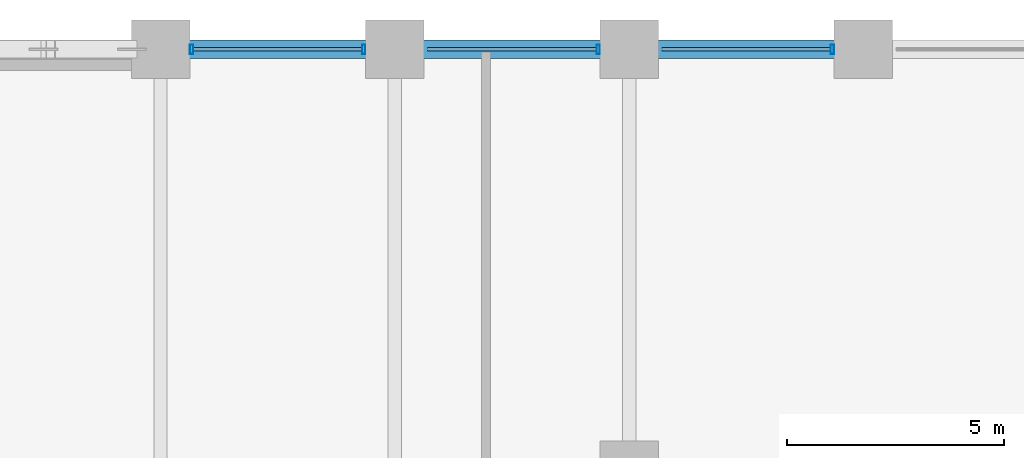
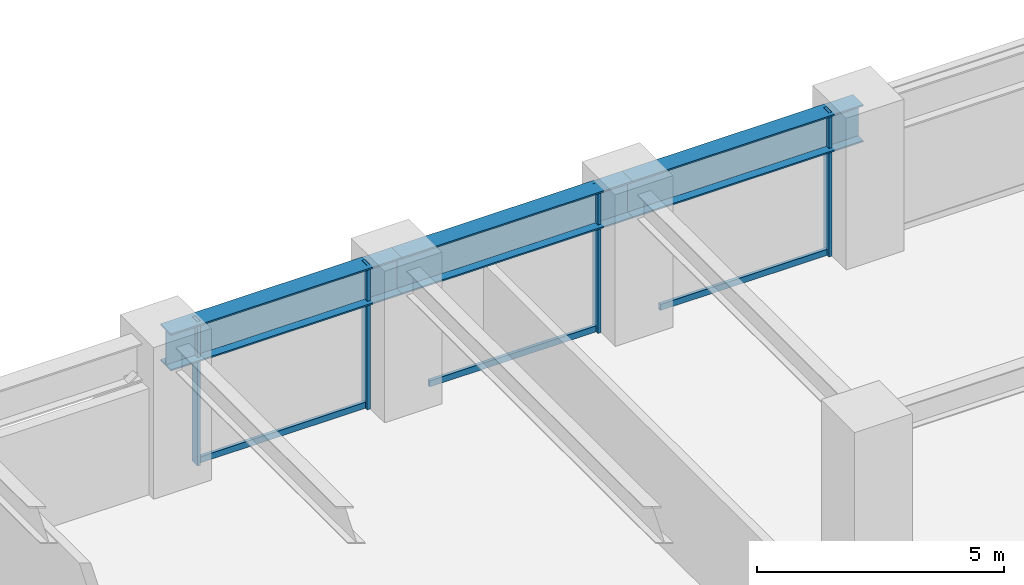
# One storey, part 15 of 27: 7 members, 3 beams, 1 element without a shape of its own.
"""IFC4 building model written with IfcOpenShell, lengths in metres."""

from ifc_helpers import new_model, si_unit, direction, frame, origin, origin_2d, place, context, subcontext, project, spatial, hollow_rectangle, i_section, extrude, material, layer, layer_set, material_profile, profile_set, type_object, element, aggregate, save


model = new_model("IFC4")

# Units and contexts
model_context = context("Model", 3, precision=1e-05, world=origin(), true_north=direction((0.0, 1.0)))
body_context = subcontext(model_context, "Body", "Model", "MODEL_VIEW")
ifc_project = project(units=[si_unit("LENGTHUNIT", "METRE"), si_unit("AREAUNIT", "SQUARE_METRE"), si_unit("VOLUMEUNIT", "CUBIC_METRE"), si_unit("PLANEANGLEUNIT", "RADIAN"), si_unit("MASSUNIT", "GRAM", prefix="KILO")], contexts=[model_context])

# Site, building, storey
site_placement = place(None, origin())
site = spatial("IfcSite", under=ifc_project, at=site_placement, CompositionType="ELEMENT")
building_placement = place(site_placement, origin())
building = spatial("IfcBuilding", under=site, at=building_placement, Name="Surkhivell Harbour Commons", CompositionType="ELEMENT")
storey_placement = place(building_placement, frame((0.0, 0.0, 22.5)))
storey = spatial("IfcBuildingStorey", under=building, at=storey_placement, Name="L05", CompositionType="ELEMENT", Elevation=22.5)

# Beams
ifc_material_1 = material(Name="Steel S460", Category="steel")
ifc_material_profile_1 = material_profile(ifc_material_1, i_section(OverallWidth=0.419921875, OverallDepth=0.9208984375, WebThickness=0.021484375, FlangeThickness=0.03662109375, at=origin_2d()), Name="UB914x419x388")
ifc_profile_set_1 = profile_set([ifc_material_profile_1], Name="Steel S460")
beam_type = type_object("IfcBeamType", Name="BM-SPN-914A", PredefinedType="SPANDREL", material=ifc_profile_set_1)
beam_1_placement = place(storey_placement, frame((5.39990234375, 25.89990234375, 3.109619140625), z_axis=(1.0, 0.0, 0.0), x_axis=(0.0, 1.0, 0.0)))
element("IfcBeam", 1, at=beam_1_placement, inside=storey, type_object=beam_type, Name="L05 Tube Spandrel (5.4,25.9)", PredefinedType="SPANDREL", context=body_context, shape_type="SweptSolid", body=[
    extrude(i_section(OverallWidth=0.419921875, OverallDepth=0.9208984375, WebThickness=0.021484375, FlangeThickness=0.03662109375, at=origin_2d()), origin(), (0.0, 0.0, 1.0), 5.400146484375),
])
beam_2_placement = place(storey_placement, frame((10.800048828125, 25.89990234375, 3.109619140625), z_axis=(1.0, 0.0, 0.0), x_axis=(0.0, 1.0, 0.0)))
element("IfcBeam", 2, at=beam_2_placement, inside=storey, type_object=beam_type, Name="L05 Tube Spandrel (10.8,25.9)", PredefinedType="SPANDREL", context=body_context, shape_type="SweptSolid", body=[
    extrude(i_section(OverallWidth=0.419921875, OverallDepth=0.9208984375, WebThickness=0.021484375, FlangeThickness=0.03662109375, at=origin_2d()), origin(), (0.0, 0.0, 1.0), 5.39990234375),
])
beam_3_placement = place(storey_placement, frame((16.199951171875, 25.89990234375, 3.109619140625), z_axis=(1.0, 0.0, 0.0), x_axis=(0.0, 1.0, 0.0)))
element("IfcBeam", 3, at=beam_3_placement, inside=storey, type_object=beam_type, Name="L05 Tube Spandrel (16.2,25.9)", PredefinedType="SPANDREL", context=body_context, shape_type="SweptSolid", body=[
    extrude(i_section(OverallWidth=0.419921875, OverallDepth=0.9208984375, WebThickness=0.021484375, FlangeThickness=0.03662109375, at=origin_2d()), origin(), (0.0, 0.0, 1.0), 5.400146484375),
])

# Curtain wall, members
ifc_material_2 = material(Name="Anodised pale-metal aluminium and insulated glazing", Category="aluminium")
ifc_layer = layer(ifc_material_2, 0.219970703125)
ifc_layer_set = layer_set([ifc_layer], Name="Anodised pale-metal aluminium and insulated glazing")
curtain_wall_type = type_object("IfcCurtainWallType", Name="CW-SYS-Z1", PredefinedType="NOTDEFINED", material=ifc_layer_set)
curtain_wall_placement = place(storey_placement, origin())
curtain_wall = element("IfcCurtainWall", 4, at=curtain_wall_placement, inside=storey, type_object=curtain_wall_type, Name="L05 Curtain Wall CW-L05-E07S1", PredefinedType="NOTDEFINED")
ifc_material_3 = material(Name="Anodised pale-metal aluminium alloy 6063-T6", Category="aluminium")
ifc_material_profile_2 = material_profile(ifc_material_3, hollow_rectangle(XDim=0.074951171875, YDim=0.219970703125, WallThickness=0.00390625, at=origin_2d()), Name="ALU-MULL-75x220")
ifc_profile_set_2 = profile_set([ifc_material_profile_2], Name="Anodised pale-metal aluminium alloy 6063-T6")
member_type_1 = type_object("IfcMemberType", Name="CWM-220", PredefinedType="MULLION", material=ifc_profile_set_2)
member_1_placement = place(storey_placement, frame((20.885498046875, 25.89990234375, 0.0), z_axis=(0.0, 0.0, 1.0), x_axis=(-1.0, 0.0, 0.0)))
member_1 = element("IfcMember", 5, at=member_1_placement, type_object=member_type_1, Name="CW-Z1 mullion 2", PredefinedType="MULLION", context=body_context, shape_type="SweptSolid", body=[
    extrude(hollow_rectangle(XDim=0.074951171875, YDim=0.219970703125, WallThickness=0.00390625, at=origin_2d()), origin(), (0.0, 0.0, 1.0), 3.570068359375),
])
member_2_placement = place(storey_placement, frame((15.485595703125, 25.89990234375, 0.0), z_axis=(0.0, 0.0, 1.0), x_axis=(-1.0, 0.0, 0.0)))
member_2 = element("IfcMember", 6, at=member_2_placement, type_object=member_type_1, Name="CW-Z1 mullion 3", PredefinedType="MULLION", context=body_context, shape_type="SweptSolid", body=[
    extrude(hollow_rectangle(XDim=0.074951171875, YDim=0.219970703125, WallThickness=0.00390625, at=origin_2d()), origin(), (0.0, 0.0, 1.0), 3.570068359375),
])
member_3_placement = place(storey_placement, frame((10.08544921875, 25.89990234375, 0.0), z_axis=(0.0, 0.0, 1.0), x_axis=(-1.0, 0.0, 0.0)))
member_3 = element("IfcMember", 7, at=member_3_placement, type_object=member_type_1, Name="CW-Z1 mullion 4", PredefinedType="MULLION", context=body_context, shape_type="SweptSolid", body=[
    extrude(hollow_rectangle(XDim=0.074951171875, YDim=0.219970703125, WallThickness=0.00390625, at=origin_2d()), origin(), (0.0, 0.0, 1.0), 3.570068359375),
])
member_4_placement = place(storey_placement, frame((6.114501953125, 25.89990234375, 0.0), z_axis=(0.0, 0.0, 1.0), x_axis=(-1.0, 0.0, 0.0)))
member_4 = element("IfcMember", 8, at=member_4_placement, type_object=member_type_1, Name="CW-Z1 mullion 5", PredefinedType="MULLION", context=body_context, shape_type="SweptSolid", body=[
    extrude(hollow_rectangle(XDim=0.074951171875, YDim=0.219970703125, WallThickness=0.00390625, at=origin_2d()), origin(), (0.0, 0.0, 1.0), 3.570068359375),
])
ifc_material_profile_3 = material_profile(ifc_material_3, hollow_rectangle(XDim=0.074951171875, YDim=0.14990234375, WallThickness=0.00341796875, at=origin_2d()), Name="ALU-TRAN-75x150")
ifc_profile_set_3 = profile_set([ifc_material_profile_3], Name="Anodised pale-metal aluminium alloy 6063-T6")
member_type_2 = type_object("IfcMemberType", Name="CWT-150", PredefinedType="USERDEFINED", material=ifc_profile_set_3)
member_5_placement = place(storey_placement, frame((20.847900390625, 25.89990234375, 0.074951171875), z_axis=(-1.0, 0.0, 0.0), x_axis=(0.0, -1.0, 0.0)))
member_5 = element("IfcMember", 9, at=member_5_placement, type_object=member_type_2, Name="CW-Z1 transom 2.1", ObjectType="TRANSOM", PredefinedType="USERDEFINED", context=body_context, shape_type="SweptSolid", body=[
    extrude(hollow_rectangle(XDim=0.074951171875, YDim=0.14990234375, WallThickness=0.00341796875, at=origin_2d()), origin(), (0.0, 0.0, 1.0), 3.89599609375),
])
member_6_placement = place(storey_placement, frame((15.447998046875, 25.89990234375, 0.074951171875), z_axis=(-1.0, 0.0, 0.0), x_axis=(0.0, -1.0, 0.0)))
member_6 = element("IfcMember", 10, at=member_6_placement, type_object=member_type_2, Name="CW-Z1 transom 3.1", ObjectType="TRANSOM", PredefinedType="USERDEFINED", context=body_context, shape_type="SweptSolid", body=[
    extrude(hollow_rectangle(XDim=0.074951171875, YDim=0.14990234375, WallThickness=0.00341796875, at=origin_2d()), origin(), (0.0, 0.0, 1.0), 3.89599609375),
])
member_7_placement = place(storey_placement, frame((10.048095703125, 25.89990234375, 0.074951171875), z_axis=(-1.0, 0.0, 0.0), x_axis=(0.0, -1.0, 0.0)))
member_7 = element("IfcMember", 11, at=member_7_placement, type_object=member_type_2, Name="CW-Z1 transom 4.1", ObjectType="TRANSOM", PredefinedType="USERDEFINED", context=body_context, shape_type="SweptSolid", body=[
    extrude(hollow_rectangle(XDim=0.074951171875, YDim=0.14990234375, WallThickness=0.00341796875, at=origin_2d()), origin(), (0.0, 0.0, 1.0), 3.89599609375),
])
aggregate(curtain_wall, [member_1, member_5, member_2, member_6, member_3, member_4, member_7])

save(model, "model.ifc")
